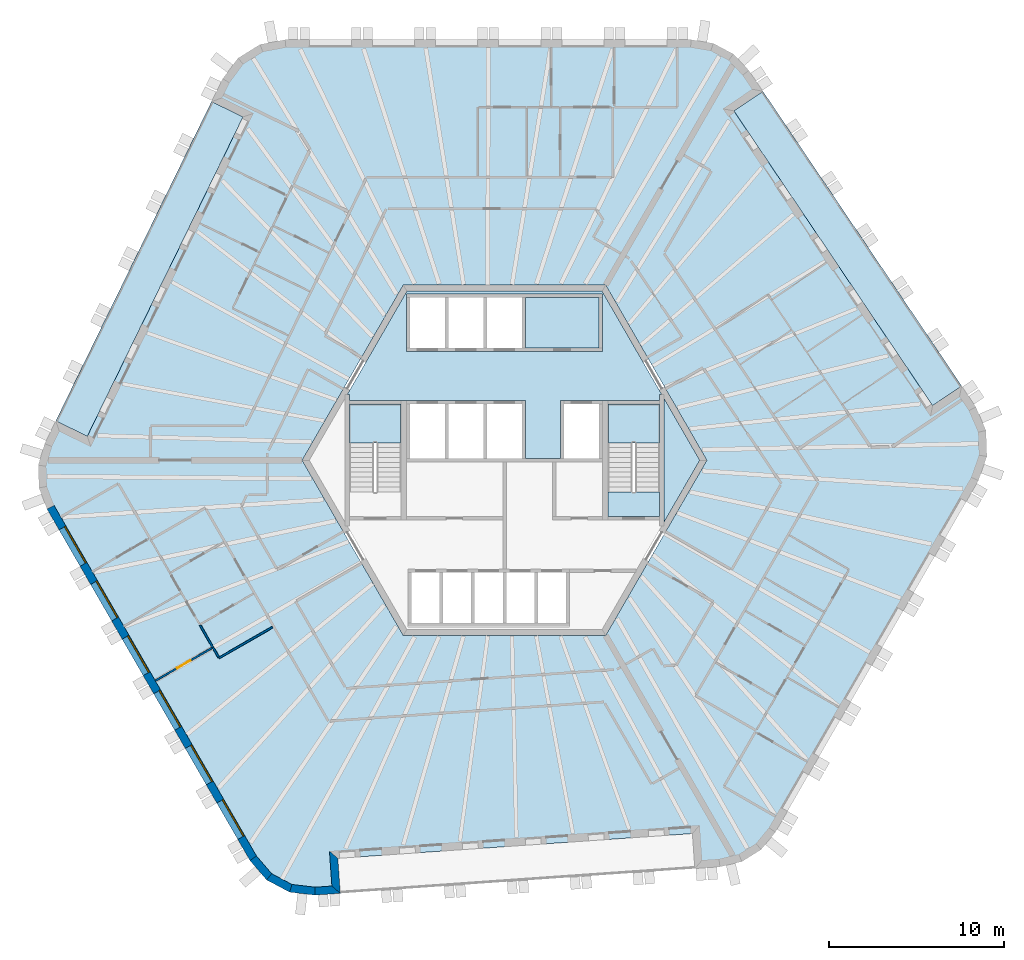
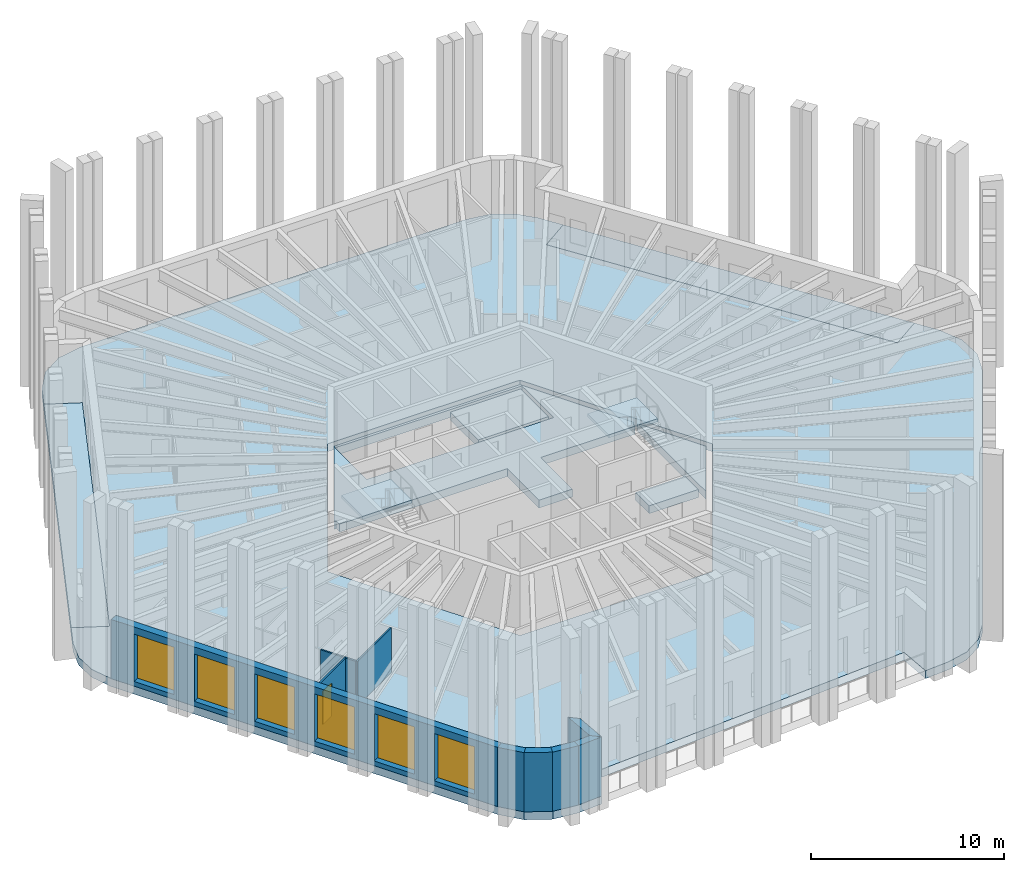
# One storey, part 2 of 12: 10 walls, 9 slabs, 6 windows, 1 door, 7 openings, 2 elements without a shape of their own.
"""IFC4 building model written with IfcOpenShell, lengths in metres."""

from ifc_helpers import new_model, si_unit, direction, frame, frame_2d, origin, place, context, subcontext, project, spatial, polyline, rectangle, outline, extrude, material, layer, layer_set, type_object, element, fill, aggregate, save


model = new_model("IFC4")

# Units and contexts
model_context = context("Model", 3, precision=1e-05, world=origin(), true_north=direction((0.0, 1.0)))
body_context = subcontext(model_context, "Body", "Model", "MODEL_VIEW")
ifc_project = project(units=[si_unit("LENGTHUNIT", "METRE"), si_unit("AREAUNIT", "SQUARE_METRE"), si_unit("VOLUMEUNIT", "CUBIC_METRE"), si_unit("PLANEANGLEUNIT", "RADIAN"), si_unit("MASSUNIT", "GRAM", prefix="KILO")], contexts=[model_context])

# Site, building, storey
site_placement = place(None, origin())
site = spatial("IfcSite", under=ifc_project, at=site_placement, CompositionType="ELEMENT")
building_placement = place(site_placement, origin())
building = spatial("IfcBuilding", under=site, at=building_placement, Name="Tarnside Tower", CompositionType="ELEMENT")
storey_placement = place(building_placement, frame((0.0, 0.0, 349.5)))
storey = spatial("IfcBuildingStorey", under=building, at=storey_placement, Name="L84", CompositionType="ELEMENT", Elevation=349.5)

# Slabs
ifc_material_1 = material(Name="Concrete C35/45", Category="concrete")
ifc_layer_1 = layer(ifc_material_1, 0.5)
ifc_layer_set_1 = layer_set([ifc_layer_1], Name="Composite floor slab 500")
slab_type_1 = type_object("IfcSlabType", Name="Composite floor slab 500", PredefinedType="FLOOR", material=ifc_layer_set_1)
slab_1_placement = place(storey_placement, frame((0.0, 0.0, -0.5)))
element("IfcSlab", 1, at=slab_1_placement, inside=storey, type_object=slab_type_1, Name="Floor slab L84", PredefinedType="FLOOR", context=body_context, shape_type="SweptSolid", body=[
    extrude(outline(polyline([(11.915283203125, 23.79248046875), (13.061767578125, 23.182861328125), (13.940185546875, 22.251953125), (14.747314453125, 21.055419921875), (13.089111328125, 19.93701171875), (24.430419921875, 3.122802734375), (26.08837890625, 4.2412109375), (26.897216796875, 3.04248046875), (27.4755859375, 1.700927734375), (27.52734375, 0.2197265625), (27.043701171875, -1.15869140625), (15.458251953125, -21.225341796875), (14.647216796875, -22.21533203125), (13.546142578125, -22.9033203125), (12.30078125, -23.198486328125), (10.86083984375, -23.299072265625), (10.721435546875, -21.303955078125), (-9.5107421875, -22.71875), (-9.371337890625, -24.7138671875), (-10.813720703125, -24.814697265625), (-12.2646484375, -24.645263671875), (-13.573486328125, -23.94921875), (-14.525390625, -22.84130859375), (-26.11083984375, -2.774658203125), (-26.5625, -1.5771484375), (-26.60791015625, -0.279541015625), (-26.24072265625, 0.946533203125), (-25.608154296875, 2.24365234375), (-23.810546875, 1.366943359375), (-14.919677734375, 19.595947265625), (-16.71728515625, 20.47265625), (-16.08349609375, 21.7724609375), (-15.2109375, 22.944091796875), (-13.9541015625, 23.7294921875), (-12.518310546875, 24.0), (10.652587890625, 24.0), (11.915283203125, 23.79248046875)]), holes=[polyline([(-11.547119140625, 0.0), (-5.7734375, -10.0), (5.7734375, -10.0), (11.547119140625, 0.0), (5.7734375, 10.0), (-5.7734375, 10.0), (-11.547119140625, 0.0)])]), origin(), (0.0, 0.0, 1.0), 0.5),
])
ifc_material_2 = material(Name="Concrete C60/75", Category="concrete")
ifc_layer_2 = layer(ifc_material_2, 0.5)
ifc_layer_set_2 = layer_set([ifc_layer_2], Name="Core transfer slab C60/75")
slab_type_2 = type_object("IfcSlabType", Name="Core transfer slab C60/75", PredefinedType="FLOOR", material=ifc_layer_set_2)
slab_2_placement = place(storey_placement, frame((0.0, 0.0, -0.5)))
element("IfcSlab", 2, at=slab_2_placement, inside=storey, type_object=slab_type_2, Name="L84 core floor slab 1", PredefinedType="FLOOR", context=body_context, shape_type="SweptSolid", body=[
    extrude(outline(polyline([(5.5712890625, 9.64990234375), (8.97509765625, 3.7548828125), (8.85009765625, 3.7548828125), (8.85009765625, 3.39990234375), (5.89990234375, 3.39990234375), (5.60009765625, 3.39990234375), (3.39990234375, 3.39990234375), (3.199951171875, 3.39990234375), (3.199951171875, 0.10009765625), (1.199951171875, 0.10009765625), (1.199951171875, 3.39990234375), (1.0, 3.39990234375), (-5.60009765625, 3.39990234375), (-5.89990234375, 3.39990234375), (-8.85009765625, 3.39990234375), (-8.85009765625, 3.7548828125), (-8.97509765625, 3.7548828125), (-5.5712890625, 9.64990234375), (5.5712890625, 9.64990234375)]), holes=[polyline([(-5.60009765625, 6.199951171875), (5.60009765625, 6.199951171875), (5.60009765625, 6.39990234375), (5.60009765625, 9.300048828125), (5.60009765625, 9.5), (-5.60009765625, 9.5), (-5.60009765625, 9.300048828125), (-5.60009765625, 6.39990234375), (-5.60009765625, 6.199951171875)])]), origin(), (0.0, 0.0, 1.0), 0.5),
])
slab_3_placement = place(storey_placement, frame((0.0, 0.0, -0.5)))
element("IfcSlab", 3, at=slab_3_placement, inside=storey, type_object=slab_type_2, Name="L84 core floor slab 5", PredefinedType="FLOOR", context=body_context, shape_type="SweptSolid", body=[
    extrude(outline(polyline([(5.89990234375, -1.800048828125), (8.85009765625, -1.800048828125), (8.85009765625, -3.199951171875), (5.89990234375, -3.199951171875), (5.89990234375, -1.800048828125)])), origin(), (0.0, 0.0, 1.0), 0.5),
])
slab_4_placement = place(storey_placement, frame((0.0, 0.0, -0.5)))
element("IfcSlab", 4, at=slab_4_placement, inside=storey, type_object=slab_type_2, Name="L84 core floor slab 6", PredefinedType="FLOOR", context=body_context, shape_type="SweptSolid", body=[
    extrude(outline(polyline([(9.10009765625, 3.538330078125), (11.142822265625, 0.0), (9.10009765625, -3.538330078125), (9.10009765625, 3.538330078125)])), origin(), (0.0, 0.0, 1.0), 0.5),
])
slab_5_placement = place(storey_placement, frame((0.0, 0.0, -0.5)))
element("IfcSlab", 5, at=slab_5_placement, inside=storey, type_object=slab_type_2, Name="L84 core floor slab 7", PredefinedType="FLOOR", context=body_context, shape_type="SweptSolid", body=[
    extrude(outline(polyline([(5.39990234375, 6.39990234375), (1.199951171875, 6.39990234375), (1.199951171875, 9.300048828125), (5.39990234375, 9.300048828125), (5.39990234375, 6.39990234375)])), origin(), (0.0, 0.0, 1.0), 0.5),
])
ifc_material_3 = material(Name="Timber decking", Category="wood")
ifc_layer_3 = layer(ifc_material_3, 0.0400390625)
ifc_material_4 = material(Name="Concrete C60/75 precast", Category="concrete")
ifc_layer_4 = layer(ifc_material_4, 0.4599609375)
ifc_layer_set_3 = layer_set([ifc_layer_3, ifc_layer_4], Name="Loggia deck 500")
slab_type_3 = type_object("IfcSlabType", Name="Loggia deck 500", PredefinedType="FLOOR", material=ifc_layer_set_3)
slab_6_placement = place(storey_placement, frame((0.0, 0.0, -0.5)))
element("IfcSlab", 6, at=slab_6_placement, inside=storey, type_object=slab_type_3, Name="Loggia deck L84 F2", PredefinedType="FLOOR", context=body_context, shape_type="SweptSolid", body=[
    extrude(outline(polyline([(-14.919677734375, 19.595947265625), (-23.810546875, 1.366943359375), (-25.608154296875, 2.24365234375), (-16.71728515625, 20.47265625), (-14.919677734375, 19.595947265625)])), origin(), (0.0, 0.0, 1.0), 0.5),
])
slab_7_placement = place(storey_placement, frame((0.0, 0.0, -0.5)))
element("IfcSlab", 7, at=slab_7_placement, inside=storey, type_object=slab_type_3, Name="Loggia deck L84 F6", PredefinedType="FLOOR", context=body_context, shape_type="SweptSolid", body=[
    extrude(outline(polyline([(24.430419921875, 3.122802734375), (13.089111328125, 19.93701171875), (14.7470703125, 21.055419921875), (26.088623046875, 4.2412109375), (24.430419921875, 3.122802734375)])), origin(), (0.0, 0.0, 1.0), 0.5),
])

# Stair, slab
ifc_material_5 = material(Name="Concrete C40/50", Category="concrete")
stair_type = type_object("IfcStairType", Name="Exit stair 1400 clear", PredefinedType="HALF_TURN_STAIR", material=ifc_material_5)
stair_1_placement = place(storey_placement, origin())
stair_1 = element("IfcStair", 8, at=stair_1_placement, inside=storey, type_object=stair_type, Name="L84 Exit stair 1", PredefinedType="HALF_TURN_STAIR")
ifc_layer_5 = layer(ifc_material_5, 0.199951171875)
ifc_layer_set_4 = layer_set([ifc_layer_5], Name="Stair landing 200 C40/50")
slab_type_4 = type_object("IfcSlabType", Name="Stair landing 200 C40/50", PredefinedType="LANDING", material=ifc_layer_set_4)
slab_8_placement = place(storey_placement, frame((0.0, 0.0, 1.75)))
slab_8 = element("IfcSlab", 9, at=slab_8_placement, type_object=slab_type_4, Name="ST1 landing 1", PredefinedType="LANDING", context=body_context, shape_type="SweptSolid", body=[
    extrude(outline(polyline([(8.85009765625, 1.0), (8.85009765625, 3.199951171875), (5.89990234375, 3.199951171875), (5.89990234375, 1.0), (8.85009765625, 1.0)])), origin(), (0.0, 0.0, 1.0), 0.199951171875),
])
aggregate(stair_1, [slab_8])

stair_2_placement = place(storey_placement, origin())
stair_2 = element("IfcStair", 10, at=stair_2_placement, inside=storey, type_object=stair_type, Name="L84 Exit stair 2", PredefinedType="HALF_TURN_STAIR")
slab_9_placement = place(storey_placement, frame((0.0, 0.0, 1.75)))
slab_9 = element("IfcSlab", 11, at=slab_9_placement, type_object=slab_type_4, Name="ST2 landing 1", PredefinedType="LANDING", context=body_context, shape_type="SweptSolid", body=[
    extrude(outline(polyline([(-5.89990234375, 1.0), (-5.89990234375, 3.199951171875), (-8.85009765625, 3.199951171875), (-8.85009765625, 1.0), (-5.89990234375, 1.0)])), origin(), (0.0, 0.0, 1.0), 0.199951171875),
])
aggregate(stair_2, [slab_9])

# Walls
ifc_material_6 = material(Name="Gypsum board partition on steel studs", Category="steel")
ifc_layer_6 = layer(ifc_material_6, 0.10009765625)
ifc_layer_set_5 = layer_set([ifc_layer_6], Name="Bathroom wall 100")
wall_type_1 = type_object("IfcWallType", Name="Bathroom wall 100", PredefinedType="PARTITIONING", material=ifc_layer_set_5)
wall_1_placement = place(storey_placement, frame((-13.238525390625, -9.52001953125, 0.0), z_axis=(0.0, 0.0, 1.0), x_axis=(-0.866031034943, -0.499990246421, 0.0)))
element("IfcWall", 12, at=wall_1_placement, inside=storey, type_object=wall_type_1, Name="Bathroom wall 27094", PredefinedType="PARTITIONING", context=body_context, shape_type="SweptSolid", body=[
    extrude(rectangle(XDim=3.52490234375, YDim=0.10009765625, at=frame_2d((1.762451171875, 0.0))), origin(), (0.0, 0.0, 1.0), 2.820068359375),
])
wall_2_placement = place(storey_placement, frame((-16.31640625, -11.2392578125, 0.0), z_axis=(0.0, 0.0, 1.0), x_axis=(-0.499962526042, 0.866047038303, 0.0)))
element("IfcWall", 13, at=wall_2_placement, inside=storey, type_object=wall_type_1, Name="Bathroom wall 27095", PredefinedType="PARTITIONING", context=body_context, shape_type="SweptSolid", body=[
    extrude(rectangle(XDim=0.6455078125, YDim=0.10009765625, at=frame_2d((0.32275390625, 0.0))), origin(), (0.0, 0.0, 1.0), 2.820068359375),
])
wall_3_placement = place(storey_placement, frame((-16.63720703125, -10.68359375, 0.0), z_axis=(0.0, 0.0, 1.0), x_axis=(-0.500046085413, 0.865998794724, 0.0)))
element("IfcWall", 14, at=wall_3_placement, inside=storey, type_object=wall_type_1, Name="Bathroom wall 27103", PredefinedType="PARTITIONING", context=body_context, shape_type="SweptSolid", body=[
    extrude(rectangle(XDim=1.458251953125, YDim=0.10009765625, at=frame_2d((0.72900390625, 0.0))), origin(), (0.0, 0.0, 1.0), 2.820068359375),
])
ifc_material_7 = material(Name="Dark zinc cladding")
ifc_layer_7 = layer(ifc_material_7, 0.10205078125)
ifc_layer_8 = layer(ifc_material_4, 0.248046875)
ifc_material_8 = material(Name="Mineral wool insulation")
ifc_layer_9 = layer(ifc_material_8, 0.10009765625)
ifc_layer_set_6 = layer_set([ifc_layer_7, ifc_layer_8, ifc_layer_9], Name="Loggia wall 450 zinc faced")
wall_type_2 = type_object("IfcWallType", Name="Loggia wall 450 zinc faced", PredefinedType="SOLIDWALL", material=ifc_layer_set_6)
wall_4_placement = place(storey_placement, frame((-10.80859375, -24.5888671875, 0.0), z_axis=(0.0, 0.0, 1.0), x_axis=(0.997562933087, 0.069772448216, 0.0)))
element("IfcWall", 15, at=wall_4_placement, inside=storey, type_object=wall_type_2, Name="Tube wall L84 F4 stub 16", PredefinedType="SOLIDWALL", context=body_context, shape_type="SweptSolid", body=[
    extrude(outline(polyline([(-0.02099609375, -0.22509765625), (1.42529296875, -0.22509765625), (0.97509765625, 0.22509765625), (0.02099609375, 0.22509765625), (-0.02099609375, -0.22509765625)])), origin(), (0.0, 0.0, 1.0), 3.75),
])
wall_5_placement = place(storey_placement, frame((-9.611328125, -24.505126953125, 0.0), z_axis=(0.0, 0.0, 1.0), x_axis=(-0.069824268692, 0.99755930726, 0.0)))
element("IfcWall", 16, at=wall_5_placement, inside=storey, type_object=wall_type_2, Name="Tube wall L84 F4 return 17", PredefinedType="SOLIDWALL", context=body_context, shape_type="SweptSolid", body=[
    extrude(outline(polyline([(-0.224853515625, -0.22509765625), (1.77490234375, -0.22509765625), (2.22509765625, 0.22509765625), (0.224853515625, 0.22509765625), (-0.224853515625, -0.22509765625)])), origin(), (0.0, 0.0, 1.0), 3.75),
])

# Wall, opening, door
ifc_layer_10 = layer(ifc_material_6, 0.10009765625)
ifc_layer_set_7 = layer_set([ifc_layer_10], Name="Partition 100")
wall_type_3 = type_object("IfcWallType", Name="Partition 100", PredefinedType="PARTITIONING", material=ifc_layer_set_7)
wall_6_placement = place(storey_placement, frame((-16.681396484375, -10.706787109375, 0.0), z_axis=(0.0, 0.0, 1.0), x_axis=(-0.866039234136, -0.499976044363, 0.0)))
wall_6 = element("IfcWall", 17, at=wall_6_placement, inside=storey, type_object=wall_type_3, Name="Partition wall 27093", PredefinedType="PARTITIONING", context=body_context, shape_type="SweptSolid", body=[
    extrude(rectangle(XDim=3.750244140625, YDim=0.10009765625, at=frame_2d((1.875, 0.0))), origin(), (0.0, 0.0, 1.0), 2.820068359375),
])
opening_1_placement = place(wall_6_placement, frame((1.425048828125, 0.0, 0.0)))
opening_1 = element("IfcOpeningElement", 18, at=opening_1_placement, cuts=wall_6, Name="Opening D-I1", PredefinedType="OPENING", context=body_context, shape_type="SweptSolid", body=[
    extrude(rectangle(XDim=0.89990234375, YDim=2.10009765625, at=frame_2d((0.449951171875, 1.050048828125))), frame((0.0, 0.06005859375, 0.0), z_axis=(0.0, -1.0, 0.0), x_axis=(1.0, 0.0, 0.0)), (0.0, 0.0, 1.0), 0.1201171875),
])
ifc_material_9 = material(Name="Timber door leaf", Category="wood")
door_type = type_object("IfcDoorType", Name="Internal door 900", OperationType="NOTDEFINED", PredefinedType="DOOR", material=ifc_material_9)
door_placement = place(opening_1_placement, origin())
door = element("IfcDoor", 19, at=door_placement, inside=storey, type_object=door_type, Name="Internal door 27058", OperationType="SINGLE_SWING_RIGHT", OverallHeight=2.10009765625, OverallWidth=0.89990234375, PredefinedType="DOOR", context=body_context, shape_type="SweptSolid", body=[
    extrude(rectangle(XDim=0.89990234375, YDim=2.10009765625, at=frame_2d((0.449951171875, 1.050048828125))), frame((0.0, 0.02490234375, 0.0), z_axis=(0.0, -1.0, 0.0), x_axis=(1.0, 0.0, 0.0)), (0.0, 0.0, 1.0), 0.050048828125),
])
fill(opening_1, door)

# Wall, openings, windows
ifc_material_10 = material(Name="Facing brick", Category="masonry")
ifc_layer_11 = layer(ifc_material_10, 0.10205078125)
ifc_layer_12 = layer(ifc_material_4, 0.248046875)
ifc_layer_13 = layer(ifc_material_8, 0.10009765625)
ifc_layer_set_8 = layer_set([ifc_layer_11, ifc_layer_12, ifc_layer_13], Name="Tube wall 450 brick faced")
wall_type_4 = type_object("IfcWallType", Name="Tube wall 450 brick faced", PredefinedType="SOLIDWALL", material=ifc_layer_set_8)
wall_7_placement = place(storey_placement, frame((-25.90673828125, -2.677978515625, 0.0), z_axis=(0.0, 0.0, 1.0), x_axis=(0.499997453958, -0.866026873738, 0.0)))
wall_7 = element("IfcWall", 20, at=wall_7_placement, inside=storey, type_object=wall_type_4, Name="Tube wall L84 F3 flush 12", PredefinedType="SOLIDWALL", context=body_context, shape_type="SweptSolid", body=[
    extrude(outline(polyline([(-0.018310546875, -0.22509765625), (23.15234375, -0.22509765625), (23.1103515625, 0.22509765625), (0.018310546875, 0.22509765625), (-0.018310546875, -0.22509765625)])), origin(), (0.0, 0.0, 1.0), 3.75),
])
opening_2_placement = place(wall_7_placement, frame((1.36572265625, 0.0, 0.300048828125)))
opening_2 = element("IfcOpeningElement", 21, at=opening_2_placement, cuts=wall_7, Name="Opening WP", PredefinedType="OPENING", context=body_context, shape_type="SweptSolid", body=[
    extrude(rectangle(XDim=2.39990234375, YDim=3.0, at=frame_2d((1.199951171875, 1.5))), frame((0.0, 0.23486328125, 0.0), z_axis=(0.0, -1.0, 0.0), x_axis=(1.0, 0.0, 0.0)), (0.0, 0.0, 1.0), 0.469970703125),
])
opening_3_placement = place(wall_7_placement, frame((4.9658203125, 0.0, 0.300048828125)))
opening_3 = element("IfcOpeningElement", 22, at=opening_3_placement, cuts=wall_7, Name="Opening WP", PredefinedType="OPENING", context=body_context, shape_type="SweptSolid", body=[
    extrude(rectangle(XDim=2.39990234375, YDim=3.0, at=frame_2d((1.199951171875, 1.5))), frame((0.0, 0.23486328125, 0.0), z_axis=(0.0, -1.0, 0.0), x_axis=(1.0, 0.0, 0.0)), (0.0, 0.0, 1.0), 0.469970703125),
])
opening_4_placement = place(wall_7_placement, frame((8.56591796875, 0.0, 0.300048828125)))
opening_4 = element("IfcOpeningElement", 23, at=opening_4_placement, cuts=wall_7, Name="Opening WP", PredefinedType="OPENING", context=body_context, shape_type="SweptSolid", body=[
    extrude(rectangle(XDim=2.39990234375, YDim=3.0, at=frame_2d((1.199951171875, 1.5))), frame((0.0, 0.23486328125, 0.0), z_axis=(0.0, -1.0, 0.0), x_axis=(1.0, 0.0, 0.0)), (0.0, 0.0, 1.0), 0.469970703125),
])
opening_5_placement = place(wall_7_placement, frame((12.165771484375, 0.0, 0.300048828125)))
opening_5 = element("IfcOpeningElement", 24, at=opening_5_placement, cuts=wall_7, Name="Opening WP", PredefinedType="OPENING", context=body_context, shape_type="SweptSolid", body=[
    extrude(rectangle(XDim=2.39990234375, YDim=3.0, at=frame_2d((1.199951171875, 1.5))), frame((0.0, 0.23486328125, 0.0), z_axis=(0.0, -1.0, 0.0), x_axis=(1.0, 0.0, 0.0)), (0.0, 0.0, 1.0), 0.469970703125),
])
opening_6_placement = place(wall_7_placement, frame((15.765869140625, 0.0, 0.300048828125)))
opening_6 = element("IfcOpeningElement", 25, at=opening_6_placement, cuts=wall_7, Name="Opening WP", PredefinedType="OPENING", context=body_context, shape_type="SweptSolid", body=[
    extrude(rectangle(XDim=2.39990234375, YDim=3.0, at=frame_2d((1.199951171875, 1.5))), frame((0.0, 0.23486328125, 0.0), z_axis=(0.0, -1.0, 0.0), x_axis=(1.0, 0.0, 0.0)), (0.0, 0.0, 1.0), 0.469970703125),
])
opening_7_placement = place(wall_7_placement, frame((19.36572265625, 0.0, 0.300048828125)))
opening_7 = element("IfcOpeningElement", 26, at=opening_7_placement, cuts=wall_7, Name="Opening WP", PredefinedType="OPENING", context=body_context, shape_type="SweptSolid", body=[
    extrude(rectangle(XDim=2.39990234375, YDim=3.0, at=frame_2d((1.199951171875, 1.5))), frame((0.0, 0.23486328125, 0.0), z_axis=(0.0, -1.0, 0.0), x_axis=(1.0, 0.0, 0.0)), (0.0, 0.0, 1.0), 0.469970703125),
])
ifc_material_11 = material(Name="Aluminium-framed double glazing", Category="aluminium")
window_type = type_object("IfcWindowType", Name="Penthouse window 2400 x 3000", PartitioningType="DOUBLE_PANEL_VERTICAL", PredefinedType="WINDOW", material=ifc_material_11)
window_1_placement = place(opening_2_placement, frame((0.0, 0.1552734375, 0.0)))
window_1 = element("IfcWindow", 27, at=window_1_placement, inside=storey, type_object=window_type, Name="E.WN.L84.F3.00", OverallHeight=3.0, OverallWidth=2.39990234375, PartitioningType="DOUBLE_PANEL_VERTICAL", PredefinedType="WINDOW", context=body_context, shape_type="SweptSolid", body=[
    extrude(rectangle(XDim=2.39990234375, YDim=3.0, at=frame_2d((1.199951171875, 1.5))), frame((0.0, 0.030029296875, 0.0), z_axis=(0.0, -1.0, 0.0), x_axis=(1.0, 0.0, 0.0)), (0.0, 0.0, 1.0), 0.06005859375),
])
fill(opening_2, window_1)
window_2_placement = place(opening_3_placement, frame((0.0, 0.1552734375, 0.0)))
window_2 = element("IfcWindow", 28, at=window_2_placement, inside=storey, type_object=window_type, Name="E.WN.L84.F3.01", OverallHeight=3.0, OverallWidth=2.39990234375, PartitioningType="DOUBLE_PANEL_VERTICAL", PredefinedType="WINDOW", context=body_context, shape_type="SweptSolid", body=[
    extrude(rectangle(XDim=2.39990234375, YDim=3.0, at=frame_2d((1.199951171875, 1.5))), frame((0.0, 0.030029296875, 0.0), z_axis=(0.0, -1.0, 0.0), x_axis=(1.0, 0.0, 0.0)), (0.0, 0.0, 1.0), 0.06005859375),
])
fill(opening_3, window_2)
window_3_placement = place(opening_4_placement, frame((0.0, 0.1552734375, 0.0)))
window_3 = element("IfcWindow", 29, at=window_3_placement, inside=storey, type_object=window_type, Name="E.WN.L84.F3.02", OverallHeight=3.0, OverallWidth=2.39990234375, PartitioningType="DOUBLE_PANEL_VERTICAL", PredefinedType="WINDOW", context=body_context, shape_type="SweptSolid", body=[
    extrude(rectangle(XDim=2.39990234375, YDim=3.0, at=frame_2d((1.199951171875, 1.5))), frame((0.0, 0.030029296875, 0.0), z_axis=(0.0, -1.0, 0.0), x_axis=(1.0, 0.0, 0.0)), (0.0, 0.0, 1.0), 0.06005859375),
])
fill(opening_4, window_3)
window_4_placement = place(opening_5_placement, frame((0.0, 0.1552734375, 0.0)))
window_4 = element("IfcWindow", 30, at=window_4_placement, inside=storey, type_object=window_type, Name="E.WN.L84.F3.03", OverallHeight=3.0, OverallWidth=2.39990234375, PartitioningType="DOUBLE_PANEL_VERTICAL", PredefinedType="WINDOW", context=body_context, shape_type="SweptSolid", body=[
    extrude(rectangle(XDim=2.39990234375, YDim=3.0, at=frame_2d((1.199951171875, 1.5))), frame((0.0, 0.030029296875, 0.0), z_axis=(0.0, -1.0, 0.0), x_axis=(1.0, 0.0, 0.0)), (0.0, 0.0, 1.0), 0.06005859375),
])
fill(opening_5, window_4)
window_5_placement = place(opening_6_placement, frame((0.0, 0.1552734375, 0.0)))
window_5 = element("IfcWindow", 31, at=window_5_placement, inside=storey, type_object=window_type, Name="E.WN.L84.F3.04", OverallHeight=3.0, OverallWidth=2.39990234375, PartitioningType="DOUBLE_PANEL_VERTICAL", PredefinedType="WINDOW", context=body_context, shape_type="SweptSolid", body=[
    extrude(rectangle(XDim=2.39990234375, YDim=3.0, at=frame_2d((1.199951171875, 1.5))), frame((0.0, 0.030029296875, 0.0), z_axis=(0.0, -1.0, 0.0), x_axis=(1.0, 0.0, 0.0)), (0.0, 0.0, 1.0), 0.06005859375),
])
fill(opening_6, window_5)
window_6_placement = place(opening_7_placement, frame((0.0, 0.1552734375, 0.0)))
window_6 = element("IfcWindow", 32, at=window_6_placement, inside=storey, type_object=window_type, Name="E.WN.L84.F3.05", OverallHeight=3.0, OverallWidth=2.39990234375, PartitioningType="DOUBLE_PANEL_VERTICAL", PredefinedType="WINDOW", context=body_context, shape_type="SweptSolid", body=[
    extrude(rectangle(XDim=2.39990234375, YDim=3.0, at=frame_2d((1.199951171875, 1.5))), frame((0.0, 0.030029296875, 0.0), z_axis=(0.0, -1.0, 0.0), x_axis=(1.0, 0.0, 0.0)), (0.0, 0.0, 1.0), 0.06005859375),
])
fill(opening_7, window_6)

# Walls
wall_8_placement = place(storey_placement, frame((-14.341064453125, -22.71044921875, 0.0), z_axis=(0.0, 0.0, 1.0), x_axis=(0.651625422694, -0.758540907597, 0.0)))
element("IfcWall", 33, at=wall_8_placement, inside=storey, type_object=wall_type_4, Name="Tube wall L84 F3 chord 13", PredefinedType="SOLIDWALL", context=body_context, shape_type="SweptSolid", body=[
    extrude(outline(polyline([(-0.02099609375, -0.22509765625), (1.43994140625, -0.22509765625), (1.35498046875, 0.22509765625), (0.02099609375, 0.22509765625), (-0.02099609375, -0.22509765625)])), origin(), (0.0, 0.0, 1.0), 3.75),
])
wall_9_placement = place(storey_placement, frame((-13.430419921875, -23.7705078125, 0.0), z_axis=(0.0, 0.0, 1.0), x_axis=(0.882966382564, -0.469436222784, 0.0)))
element("IfcWall", 34, at=wall_9_placement, inside=storey, type_object=wall_type_4, Name="Tube wall L84 F3 chord 14", PredefinedType="SOLIDWALL", context=body_context, shape_type="SweptSolid", body=[
    extrude(outline(polyline([(-0.04248046875, -0.22509765625), (1.43994140625, -0.22509765625), (1.35498046875, 0.22509765625), (0.04248046875, 0.22509765625), (-0.04248046875, -0.22509765625)])), origin(), (0.0, 0.0, 1.0), 3.75),
])
wall_10_placement = place(storey_placement, frame((-12.196533203125, -24.426513671875, 0.0), z_axis=(0.0, 0.0, 1.0), x_axis=(0.993227902261, -0.116182331575, 0.0)))
element("IfcWall", 35, at=wall_10_placement, inside=storey, type_object=wall_type_4, Name="Tube wall L84 F3 chord 15", PredefinedType="SOLIDWALL", context=body_context, shape_type="SweptSolid", body=[
    extrude(outline(polyline([(-0.04248046875, -0.22509765625), (1.41845703125, -0.22509765625), (1.37646484375, 0.22509765625), (0.04248046875, 0.22509765625), (-0.04248046875, -0.22509765625)])), origin(), (0.0, 0.0, 1.0), 3.75),
])

save(model, "model.ifc")
